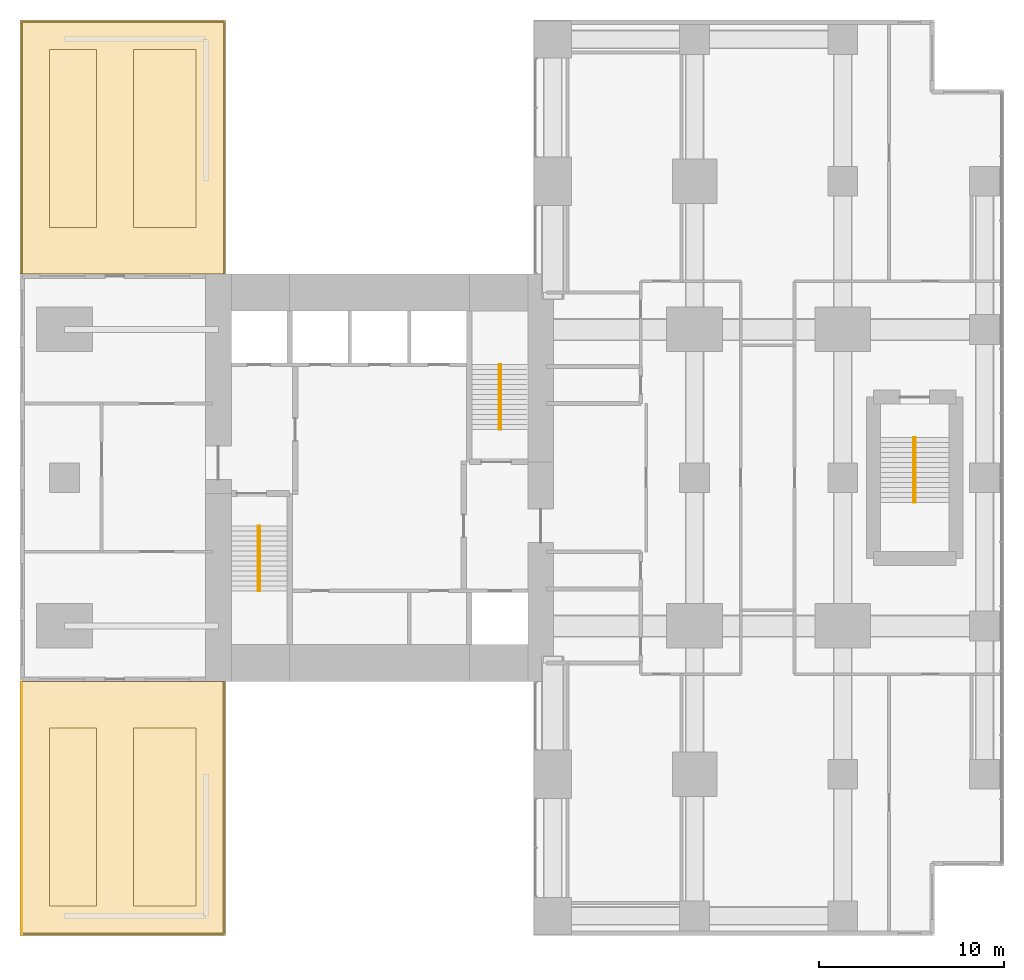
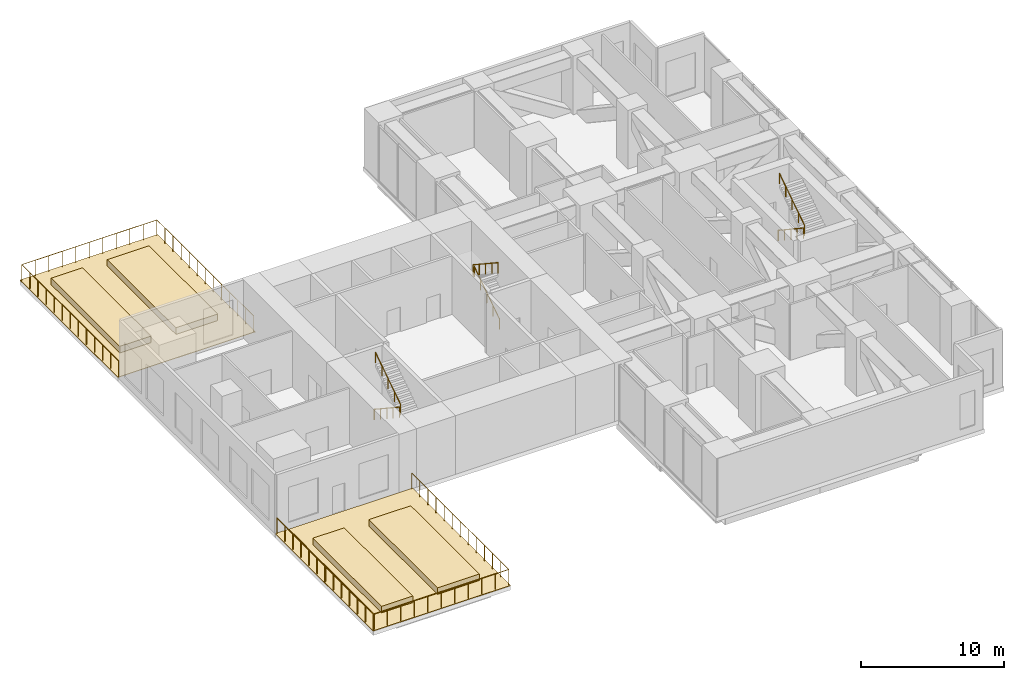
# One storey, part 10 of 10: 9 railings, 8 coverings.
"""IFC4 building model written with IfcOpenShell, lengths in metres."""

from ifc_helpers import new_model, si_unit, direction, frame, origin, origin_2d, place, context, subcontext, project, spatial, polyline, circle, outline, extrude, material, layer, layer_set, type_object, element, save


model = new_model("IFC4")

# Units and contexts
model_context = context("Model", 3, precision=1e-05, world=origin(), true_north=direction((0.0, 1.0)))
body_context = subcontext(model_context, "Body", "Model", "MODEL_VIEW")
ifc_project = project(units=[si_unit("LENGTHUNIT", "METRE"), si_unit("AREAUNIT", "SQUARE_METRE"), si_unit("VOLUMEUNIT", "CUBIC_METRE"), si_unit("PLANEANGLEUNIT", "RADIAN"), si_unit("MASSUNIT", "GRAM", prefix="KILO")], contexts=[model_context])

# Site, building, storey
site_placement = place(None, origin())
site = spatial("IfcSite", under=ifc_project, at=site_placement, CompositionType="ELEMENT")
building_placement = place(site_placement, origin())
building = spatial("IfcBuilding", under=site, at=building_placement, Name="Cleftline Residences", CompositionType="ELEMENT")
storey_placement = place(building_placement, frame((0.0, 0.0, 225.39990234375)))
storey = spatial("IfcBuildingStorey", under=building, at=storey_placement, Name="L59", CompositionType="ELEMENT", Elevation=225.39990234375)

# Railings
ifc_material_1 = material(Name="Stainless steel", Category="steel")
railing_type_1 = type_object("IfcRailingType", Name="HANDRAIL 900", PredefinedType="HANDRAIL", material=ifc_material_1)
railing_1_placement = place(storey_placement, frame((26.449951171875, 21.39990234375, 0.1787109375)))
element("IfcRailing", 1, at=railing_1_placement, inside=storey, type_object=railing_type_1, Name="Stair handrail", PredefinedType="HANDRAIL", context=body_context, shape_type="SweptSolid", body=[
    extrude(circle(Radius=0.02392578125, at=origin_2d()), frame((0.0, 0.0, 0.8759765625), z_axis=(0.0, -0.834097473627, 0.551617081397), x_axis=(1.0, 0.0, 0.0)), (0.0, 0.0, 1.0), 4.208251953125),
    extrude(circle(Radius=0.02099609375, at=origin_2d()), origin(), (0.0, 0.0, 1.0), 0.851806640625),
    extrude(circle(Radius=0.02099609375, at=origin_2d()), frame((0.0, -0.87744140625, 0.580322265625)), (0.0, 0.0, 1.0), 0.851806640625),
    extrude(circle(Radius=0.02099609375, at=origin_2d()), frame((0.0, -1.7548828125, 1.16064453125)), (0.0, 0.0, 1.0), 0.851806640625),
    extrude(circle(Radius=0.02099609375, at=origin_2d()), frame((0.0, -2.632568359375, 1.740966796875)), (0.0, 0.0, 1.0), 0.851806640625),
    extrude(circle(Radius=0.02099609375, at=origin_2d()), frame((0.0, -3.510009765625, 2.3212890625)), (0.0, 0.0, 1.0), 0.851806640625),
])
for number, where, name in (
    (2, (26.550048828125, 17.889892578125, 2.6787109375), "Stair handrail"),
    (3, (39.550048828125, 26.60009765625, 0.1787109375), "Stair handrail"),
):
    element("IfcRailing", number, at=place(storey_placement, frame(where)), inside=storey, type_object=railing_type_1, Name=name, PredefinedType="HANDRAIL", context=body_context, shape_type="SweptSolid", body=[
        extrude(circle(Radius=0.02392578125, at=origin_2d()), frame((0.0, 0.0, 0.8759765625), z_axis=(0.0, 0.834097473627, 0.551617081397), x_axis=(-1.0, 0.0, 0.0)), (0.0, 0.0, 1.0), 4.208251953125),
        extrude(circle(Radius=0.02099609375, at=origin_2d()), origin(), (0.0, 0.0, 1.0), 0.851806640625),
        extrude(circle(Radius=0.02099609375, at=origin_2d()), frame((0.0, 0.87744140625, 0.580322265625)), (0.0, 0.0, 1.0), 0.851806640625),
        extrude(circle(Radius=0.02099609375, at=origin_2d()), frame((0.0, 1.7548828125, 1.16064453125)), (0.0, 0.0, 1.0), 0.851806640625),
        extrude(circle(Radius=0.02099609375, at=origin_2d()), frame((0.0, 2.632568359375, 1.740966796875)), (0.0, 0.0, 1.0), 0.851806640625),
        extrude(circle(Radius=0.02099609375, at=origin_2d()), frame((0.0, 3.510009765625, 2.3212890625)), (0.0, 0.0, 1.0), 0.851806640625),
    ])
for number, where, name in (
    (4, (39.449951171875, 30.110107421875, 2.6787109375), "Stair handrail"),
    (5, (61.824951171875, 26.175048828125, 0.1787109375), "Stair handrail"),
):
    element("IfcRailing", number, at=place(storey_placement, frame(where)), inside=storey, type_object=railing_type_1, Name=name, PredefinedType="HANDRAIL", context=body_context, shape_type="SweptSolid", body=[
        extrude(circle(Radius=0.02392578125, at=origin_2d()), frame((0.0, 0.0, 0.8759765625), z_axis=(0.0, -0.834097473627, 0.551617081397), x_axis=(1.0, 0.0, 0.0)), (0.0, 0.0, 1.0), 4.208251953125),
        extrude(circle(Radius=0.02099609375, at=origin_2d()), origin(), (0.0, 0.0, 1.0), 0.851806640625),
        extrude(circle(Radius=0.02099609375, at=origin_2d()), frame((0.0, -0.87744140625, 0.580322265625)), (0.0, 0.0, 1.0), 0.851806640625),
        extrude(circle(Radius=0.02099609375, at=origin_2d()), frame((0.0, -1.7548828125, 1.16064453125)), (0.0, 0.0, 1.0), 0.851806640625),
        extrude(circle(Radius=0.02099609375, at=origin_2d()), frame((0.0, -2.632568359375, 1.740966796875)), (0.0, 0.0, 1.0), 0.851806640625),
        extrude(circle(Radius=0.02099609375, at=origin_2d()), frame((0.0, -3.510009765625, 2.3212890625)), (0.0, 0.0, 1.0), 0.851806640625),
    ])
railing_2_placement = place(storey_placement, frame((61.925048828125, 22.6650390625, 2.6787109375)))
element("IfcRailing", 6, at=railing_2_placement, inside=storey, type_object=railing_type_1, Name="Stair handrail", PredefinedType="HANDRAIL", context=body_context, shape_type="SweptSolid", body=[
    extrude(circle(Radius=0.02392578125, at=origin_2d()), frame((0.0, 0.0, 0.8759765625), z_axis=(0.0, 0.834097473627, 0.551617081397), x_axis=(-1.0, 0.0, 0.0)), (0.0, 0.0, 1.0), 4.208251953125),
    extrude(circle(Radius=0.02099609375, at=origin_2d()), origin(), (0.0, 0.0, 1.0), 0.851806640625),
    extrude(circle(Radius=0.02099609375, at=origin_2d()), frame((0.0, 0.87744140625, 0.580322265625)), (0.0, 0.0, 1.0), 0.851806640625),
    extrude(circle(Radius=0.02099609375, at=origin_2d()), frame((0.0, 1.7548828125, 1.16064453125)), (0.0, 0.0, 1.0), 0.851806640625),
    extrude(circle(Radius=0.02099609375, at=origin_2d()), frame((0.0, 2.632568359375, 1.740966796875)), (0.0, 0.0, 1.0), 0.851806640625),
    extrude(circle(Radius=0.02099609375, at=origin_2d()), frame((0.0, 3.510009765625, 2.3212890625)), (0.0, 0.0, 1.0), 0.851806640625),
])

# Coverings
ifc_material_2 = material(Name="Growing medium")
ifc_layer_1 = layer(ifc_material_2, 0.60009765625)
ifc_layer_set_1 = layer_set([ifc_layer_1], Name="PLANTED BED 600")
covering_type_1 = type_object("IfcCoveringType", Name="PLANTED BED 600", PredefinedType="ROOFING", material=ifc_layer_set_1)
covering_1_placement = place(storey_placement, frame((0.0, 0.0, 0.005126953125)))
element("IfcCovering", 7, at=covering_1_placement, inside=storey, type_object=covering_type_1, Name="Planted bed L59 1-1", PredefinedType="ROOFING", context=body_context, shape_type="SweptSolid", body=[
    extrude(outline(polyline([(17.72509765625, 0.89990234375), (17.72509765625, 10.5), (15.199951171875, 10.5), (15.199951171875, 0.89990234375), (17.72509765625, 0.89990234375)])), origin(), (0.0, 0.0, 1.0), 0.599853515625),
])
covering_2_placement = place(storey_placement, frame((0.0, 0.0, 0.005126953125)))
element("IfcCovering", 8, at=covering_2_placement, inside=storey, type_object=covering_type_1, Name="Planted bed L59 1-2", PredefinedType="ROOFING", context=body_context, shape_type="SweptSolid", body=[
    extrude(outline(polyline([(23.10009765625, 10.5), (19.72509765625, 10.5), (19.72509765625, 0.89990234375), (23.10009765625, 0.89990234375), (23.10009765625, 10.5)])), origin(), (0.0, 0.0, 1.0), 0.599853515625),
])
covering_3_placement = place(storey_placement, frame((0.0, 0.0, 0.005126953125)))
element("IfcCovering", 9, at=covering_3_placement, inside=storey, type_object=covering_type_1, Name="Planted bed L59 2-1", PredefinedType="ROOFING", context=body_context, shape_type="SweptSolid", body=[
    extrude(outline(polyline([(15.199951171875, 37.5), (17.72509765625, 37.5), (17.72509765625, 47.10009765625), (15.199951171875, 47.10009765625), (15.199951171875, 37.5)])), origin(), (0.0, 0.0, 1.0), 0.599853515625),
])
covering_4_placement = place(storey_placement, frame((0.0, 0.0, 0.005126953125)))
element("IfcCovering", 10, at=covering_4_placement, inside=storey, type_object=covering_type_1, Name="Planted bed L59 2-2", PredefinedType="ROOFING", context=body_context, shape_type="SweptSolid", body=[
    extrude(outline(polyline([(19.72509765625, 47.10009765625), (19.72509765625, 37.5), (23.10009765625, 37.5), (23.10009765625, 47.10009765625), (19.72509765625, 47.10009765625)])), origin(), (0.0, 0.0, 1.0), 0.599853515625),
])

# Railings
ifc_material_3 = material(Name="Stainless steel and laminated glass", Category="steel")
railing_type_2 = type_object("IfcRailingType", Name="TERRACE GUARD 1400", PredefinedType="GUARDRAIL", material=ifc_material_3)
railing_3_placement = place(storey_placement, frame((13.699951171875, -0.60009765625, 0.0)))
element("IfcRailing", 11, at=railing_3_placement, inside=storey, type_object=railing_type_2, Name="Terrace guard", PredefinedType="GUARDRAIL", context=body_context, shape_type="SweptSolid", body=[
    extrude(circle(Radius=0.02392578125, at=origin_2d()), frame((0.0, 0.0, 1.3759765625), z_axis=(0.0, 1.0, 0.0), x_axis=(-1.0, 0.0, 0.0)), (0.0, 0.0, 1.0), 13.550048828125),
    extrude(circle(Radius=0.02099609375, at=origin_2d()), origin(), (0.0, 0.0, 1.0), 1.351806640625),
    extrude(circle(Radius=0.02099609375, at=origin_2d()), frame((0.0, 1.129150390625, 0.0)), (0.0, 0.0, 1.0), 1.351806640625),
    extrude(circle(Radius=0.02099609375, at=origin_2d()), frame((0.0, 2.25830078125, 0.0)), (0.0, 0.0, 1.0), 1.351806640625),
    extrude(circle(Radius=0.02099609375, at=origin_2d()), frame((0.0, 3.387451171875, 0.0)), (0.0, 0.0, 1.0), 1.351806640625),
    extrude(circle(Radius=0.02099609375, at=origin_2d()), frame((0.0, 4.5166015625, 0.0)), (0.0, 0.0, 1.0), 1.351806640625),
    extrude(circle(Radius=0.02099609375, at=origin_2d()), frame((0.0, 5.645751953125, 0.0)), (0.0, 0.0, 1.0), 1.351806640625),
    extrude(circle(Radius=0.02099609375, at=origin_2d()), frame((0.0, 6.77490234375, 0.0)), (0.0, 0.0, 1.0), 1.351806640625),
    extrude(circle(Radius=0.02099609375, at=origin_2d()), frame((0.0, 7.904296875, 0.0)), (0.0, 0.0, 1.0), 1.351806640625),
    extrude(circle(Radius=0.02099609375, at=origin_2d()), frame((0.0, 9.033447265625, 0.0)), (0.0, 0.0, 1.0), 1.351806640625),
    extrude(circle(Radius=0.02099609375, at=origin_2d()), frame((0.0, 10.16259765625, 0.0)), (0.0, 0.0, 1.0), 1.351806640625),
    extrude(circle(Radius=0.02099609375, at=origin_2d()), frame((0.0, 11.291748046875, 0.0)), (0.0, 0.0, 1.0), 1.351806640625),
    extrude(circle(Radius=0.02099609375, at=origin_2d()), frame((0.0, 12.4208984375, 0.0)), (0.0, 0.0, 1.0), 1.351806640625),
    extrude(circle(Radius=0.02099609375, at=origin_2d()), frame((0.0, 13.550048828125, 0.0)), (0.0, 0.0, 1.0), 1.351806640625),
])
railing_4_placement = place(storey_placement, frame((24.60009765625, 12.949951171875, 0.0)))
element("IfcRailing", 12, at=railing_4_placement, inside=storey, type_object=railing_type_2, Name="Terrace guard", PredefinedType="GUARDRAIL", context=body_context, shape_type="SweptSolid", body=[
    extrude(circle(Radius=0.02392578125, at=origin_2d()), frame((0.0, 0.0, 1.3759765625), z_axis=(0.0, -1.0, 0.0), x_axis=(1.0, 0.0, 0.0)), (0.0, 0.0, 1.0), 13.550048828125),
    extrude(circle(Radius=0.02392578125, at=origin_2d()), frame((0.0, -13.550048828125, 1.3759765625), z_axis=(-1.0, 0.0, 0.0), x_axis=(0.0, -1.0, 0.0)), (0.0, 0.0, 1.0), 10.900146484375),
    extrude(circle(Radius=0.02099609375, at=origin_2d()), origin(), (0.0, 0.0, 1.0), 1.351806640625),
    extrude(circle(Radius=0.02099609375, at=origin_2d()), frame((0.0, -1.129150390625, 0.0)), (0.0, 0.0, 1.0), 1.351806640625),
    extrude(circle(Radius=0.02099609375, at=origin_2d()), frame((0.0, -2.25830078125, 0.0)), (0.0, 0.0, 1.0), 1.351806640625),
    extrude(circle(Radius=0.02099609375, at=origin_2d()), frame((0.0, -3.387451171875, 0.0)), (0.0, 0.0, 1.0), 1.351806640625),
    extrude(circle(Radius=0.02099609375, at=origin_2d()), frame((0.0, -4.5166015625, 0.0)), (0.0, 0.0, 1.0), 1.351806640625),
    extrude(circle(Radius=0.02099609375, at=origin_2d()), frame((0.0, -5.645751953125, 0.0)), (0.0, 0.0, 1.0), 1.351806640625),
    extrude(circle(Radius=0.02099609375, at=origin_2d()), frame((0.0, -6.77490234375, 0.0)), (0.0, 0.0, 1.0), 1.351806640625),
    extrude(circle(Radius=0.02099609375, at=origin_2d()), frame((0.0, -7.904296875, 0.0)), (0.0, 0.0, 1.0), 1.351806640625),
    extrude(circle(Radius=0.02099609375, at=origin_2d()), frame((0.0, -9.033447265625, 0.0)), (0.0, 0.0, 1.0), 1.351806640625),
    extrude(circle(Radius=0.02099609375, at=origin_2d()), frame((0.0, -10.16259765625, 0.0)), (0.0, 0.0, 1.0), 1.351806640625),
    extrude(circle(Radius=0.02099609375, at=origin_2d()), frame((0.0, -11.291748046875, 0.0)), (0.0, 0.0, 1.0), 1.351806640625),
    extrude(circle(Radius=0.02099609375, at=origin_2d()), frame((0.0, -12.4208984375, 0.0)), (0.0, 0.0, 1.0), 1.351806640625),
    extrude(circle(Radius=0.02099609375, at=origin_2d()), frame((0.0, -13.550048828125, 0.0)), (0.0, 0.0, 1.0), 1.351806640625),
    extrude(circle(Radius=0.02099609375, at=origin_2d()), frame((-1.090087890625, -13.550048828125, 0.0)), (0.0, 0.0, 1.0), 1.351806640625),
    extrude(circle(Radius=0.02099609375, at=origin_2d()), frame((-2.179931640625, -13.550048828125, 0.0)), (0.0, 0.0, 1.0), 1.351806640625),
    extrude(circle(Radius=0.02099609375, at=origin_2d()), frame((-3.27001953125, -13.550048828125, 0.0)), (0.0, 0.0, 1.0), 1.351806640625),
    extrude(circle(Radius=0.02099609375, at=origin_2d()), frame((-4.360107421875, -13.550048828125, 0.0)), (0.0, 0.0, 1.0), 1.351806640625),
    extrude(circle(Radius=0.02099609375, at=origin_2d()), frame((-5.4501953125, -13.550048828125, 0.0)), (0.0, 0.0, 1.0), 1.351806640625),
    extrude(circle(Radius=0.02099609375, at=origin_2d()), frame((-6.5400390625, -13.550048828125, 0.0)), (0.0, 0.0, 1.0), 1.351806640625),
    extrude(circle(Radius=0.02099609375, at=origin_2d()), frame((-7.630126953125, -13.550048828125, 0.0)), (0.0, 0.0, 1.0), 1.351806640625),
    extrude(circle(Radius=0.02099609375, at=origin_2d()), frame((-8.72021484375, -13.550048828125, 0.0)), (0.0, 0.0, 1.0), 1.351806640625),
    extrude(circle(Radius=0.02099609375, at=origin_2d()), frame((-9.81005859375, -13.550048828125, 0.0)), (0.0, 0.0, 1.0), 1.351806640625),
    extrude(circle(Radius=0.02099609375, at=origin_2d()), frame((-10.900146484375, -13.550048828125, 0.0)), (0.0, 0.0, 1.0), 1.351806640625),
])
railing_5_placement = place(storey_placement, frame((13.699951171875, 35.050048828125, 0.0)))
element("IfcRailing", 13, at=railing_5_placement, inside=storey, type_object=railing_type_2, Name="Terrace guard", PredefinedType="GUARDRAIL", context=body_context, shape_type="SweptSolid", body=[
    extrude(circle(Radius=0.02392578125, at=origin_2d()), frame((0.0, 0.0, 1.3759765625), z_axis=(0.0, 1.0, 0.0), x_axis=(-1.0, 0.0, 0.0)), (0.0, 0.0, 1.0), 13.550048828125),
    extrude(circle(Radius=0.02392578125, at=origin_2d()), frame((0.0, 13.550048828125, 1.3759765625), z_axis=(1.0, 0.0, 0.0), x_axis=(0.0, 1.0, 0.0)), (0.0, 0.0, 1.0), 10.900146484375),
    extrude(circle(Radius=0.02392578125, at=origin_2d()), frame((10.900146484375, 13.550048828125, 1.3759765625), z_axis=(0.0, -1.0, 0.0), x_axis=(1.0, 0.0, 0.0)), (0.0, 0.0, 1.0), 13.550048828125),
    extrude(circle(Radius=0.02099609375, at=origin_2d()), origin(), (0.0, 0.0, 1.0), 1.351806640625),
    extrude(circle(Radius=0.02099609375, at=origin_2d()), frame((0.0, 1.129150390625, 0.0)), (0.0, 0.0, 1.0), 1.351806640625),
    extrude(circle(Radius=0.02099609375, at=origin_2d()), frame((0.0, 2.25830078125, 0.0)), (0.0, 0.0, 1.0), 1.351806640625),
    extrude(circle(Radius=0.02099609375, at=origin_2d()), frame((0.0, 3.387451171875, 0.0)), (0.0, 0.0, 1.0), 1.351806640625),
    extrude(circle(Radius=0.02099609375, at=origin_2d()), frame((0.0, 4.5166015625, 0.0)), (0.0, 0.0, 1.0), 1.351806640625),
    extrude(circle(Radius=0.02099609375, at=origin_2d()), frame((0.0, 5.645751953125, 0.0)), (0.0, 0.0, 1.0), 1.351806640625),
    extrude(circle(Radius=0.02099609375, at=origin_2d()), frame((0.0, 6.77490234375, 0.0)), (0.0, 0.0, 1.0), 1.351806640625),
    extrude(circle(Radius=0.02099609375, at=origin_2d()), frame((0.0, 7.904296875, 0.0)), (0.0, 0.0, 1.0), 1.351806640625),
    extrude(circle(Radius=0.02099609375, at=origin_2d()), frame((0.0, 9.033447265625, 0.0)), (0.0, 0.0, 1.0), 1.351806640625),
    extrude(circle(Radius=0.02099609375, at=origin_2d()), frame((0.0, 10.16259765625, 0.0)), (0.0, 0.0, 1.0), 1.351806640625),
    extrude(circle(Radius=0.02099609375, at=origin_2d()), frame((0.0, 11.291748046875, 0.0)), (0.0, 0.0, 1.0), 1.351806640625),
    extrude(circle(Radius=0.02099609375, at=origin_2d()), frame((0.0, 12.4208984375, 0.0)), (0.0, 0.0, 1.0), 1.351806640625),
    extrude(circle(Radius=0.02099609375, at=origin_2d()), frame((0.0, 13.550048828125, 0.0)), (0.0, 0.0, 1.0), 1.351806640625),
    extrude(circle(Radius=0.02099609375, at=origin_2d()), frame((1.090087890625, 13.550048828125, 0.0)), (0.0, 0.0, 1.0), 1.351806640625),
    extrude(circle(Radius=0.02099609375, at=origin_2d()), frame((2.179931640625, 13.550048828125, 0.0)), (0.0, 0.0, 1.0), 1.351806640625),
    extrude(circle(Radius=0.02099609375, at=origin_2d()), frame((3.27001953125, 13.550048828125, 0.0)), (0.0, 0.0, 1.0), 1.351806640625),
    extrude(circle(Radius=0.02099609375, at=origin_2d()), frame((4.360107421875, 13.550048828125, 0.0)), (0.0, 0.0, 1.0), 1.351806640625),
    extrude(circle(Radius=0.02099609375, at=origin_2d()), frame((5.4501953125, 13.550048828125, 0.0)), (0.0, 0.0, 1.0), 1.351806640625),
    extrude(circle(Radius=0.02099609375, at=origin_2d()), frame((6.5400390625, 13.550048828125, 0.0)), (0.0, 0.0, 1.0), 1.351806640625),
    extrude(circle(Radius=0.02099609375, at=origin_2d()), frame((7.630126953125, 13.550048828125, 0.0)), (0.0, 0.0, 1.0), 1.351806640625),
    extrude(circle(Radius=0.02099609375, at=origin_2d()), frame((8.72021484375, 13.550048828125, 0.0)), (0.0, 0.0, 1.0), 1.351806640625),
    extrude(circle(Radius=0.02099609375, at=origin_2d()), frame((9.81005859375, 13.550048828125, 0.0)), (0.0, 0.0, 1.0), 1.351806640625),
    extrude(circle(Radius=0.02099609375, at=origin_2d()), frame((10.900146484375, 13.550048828125, 0.0)), (0.0, 0.0, 1.0), 1.351806640625),
    extrude(circle(Radius=0.02099609375, at=origin_2d()), frame((10.900146484375, 12.4208984375, 0.0)), (0.0, 0.0, 1.0), 1.351806640625),
    extrude(circle(Radius=0.02099609375, at=origin_2d()), frame((10.900146484375, 11.291748046875, 0.0)), (0.0, 0.0, 1.0), 1.351806640625),
    extrude(circle(Radius=0.02099609375, at=origin_2d()), frame((10.900146484375, 10.16259765625, 0.0)), (0.0, 0.0, 1.0), 1.351806640625),
    extrude(circle(Radius=0.02099609375, at=origin_2d()), frame((10.900146484375, 9.033447265625, 0.0)), (0.0, 0.0, 1.0), 1.351806640625),
    extrude(circle(Radius=0.02099609375, at=origin_2d()), frame((10.900146484375, 7.904296875, 0.0)), (0.0, 0.0, 1.0), 1.351806640625),
    extrude(circle(Radius=0.02099609375, at=origin_2d()), frame((10.900146484375, 6.77490234375, 0.0)), (0.0, 0.0, 1.0), 1.351806640625),
    extrude(circle(Radius=0.02099609375, at=origin_2d()), frame((10.900146484375, 5.645751953125, 0.0)), (0.0, 0.0, 1.0), 1.351806640625),
    extrude(circle(Radius=0.02099609375, at=origin_2d()), frame((10.900146484375, 4.5166015625, 0.0)), (0.0, 0.0, 1.0), 1.351806640625),
    extrude(circle(Radius=0.02099609375, at=origin_2d()), frame((10.900146484375, 3.387451171875, 0.0)), (0.0, 0.0, 1.0), 1.351806640625),
    extrude(circle(Radius=0.02099609375, at=origin_2d()), frame((10.900146484375, 2.25830078125, 0.0)), (0.0, 0.0, 1.0), 1.351806640625),
    extrude(circle(Radius=0.02099609375, at=origin_2d()), frame((10.900146484375, 1.129150390625, 0.0)), (0.0, 0.0, 1.0), 1.351806640625),
    extrude(circle(Radius=0.02099609375, at=origin_2d()), frame((10.900146484375, 0.0, 0.0)), (0.0, 0.0, 1.0), 1.351806640625),
])

# Coverings
ifc_material_4 = material(Name="Porcelain paving on adhesive bed")
ifc_layer_2 = layer(ifc_material_4, 0.0400390625)
ifc_layer_set_2 = layer_set([ifc_layer_2], Name="TERRACE PAVING 40")
covering_type_2 = type_object("IfcCoveringType", Name="TERRACE PAVING 40", PredefinedType="FLOORING", material=ifc_layer_set_2)
covering_5_placement = place(storey_placement, frame((0.0, 0.0, 0.005126953125)))
element("IfcCovering", 14, at=covering_5_placement, inside=storey, type_object=covering_type_2, Name="Terrace paving L59 1", PredefinedType="FLOORING", context=body_context, shape_type="SweptSolid", body=[
    extrude(outline(polyline([(13.610107421875, -0.699951171875), (24.68994140625, -0.699951171875), (24.69091796875, -0.699951171875), (24.69189453125, -0.69970703125), (24.69287109375, -0.69970703125), (24.69384765625, -0.69921875), (24.694580078125, -0.69873046875), (24.695556640625, -0.6982421875), (24.6962890625, -0.69775390625), (24.697021484375, -0.697021484375), (24.69775390625, -0.6962890625), (24.6982421875, -0.695556640625), (24.69873046875, -0.694580078125), (24.69921875, -0.69384765625), (24.69970703125, -0.69287109375), (24.69970703125, -0.69189453125), (24.699951171875, -0.69091796875), (24.699951171875, -0.68994140625), (24.699951171875, 12.989990234375), (24.699951171875, 12.990966796875), (24.69970703125, 12.991943359375), (24.69970703125, 12.992919921875), (24.69921875, 12.993896484375), (24.69873046875, 12.99462890625), (24.698486328125, 12.9951171875), (23.60498046875, 12.9951171875), (23.594970703125, 12.9951171875), (13.719970703125, 12.9951171875), (13.719970703125, 13.0), (13.610107421875, 13.0), (13.60888671875, 13.0), (13.60791015625, 12.999755859375), (13.607177734375, 12.99951171875), (13.606201171875, 12.999267578125), (13.605224609375, 12.998779296875), (13.6044921875, 12.998291015625), (13.603759765625, 12.997802734375), (13.602783203125, 12.9970703125), (13.602294921875, 12.996337890625), (13.601806640625, 12.99560546875), (13.601318359375, 12.99462890625), (13.600830078125, 12.993896484375), (13.600341796875, 12.992919921875), (13.60009765625, 12.991943359375), (13.60009765625, 12.990966796875), (13.60009765625, 12.989990234375), (13.60009765625, -0.68994140625), (13.60009765625, -0.69091796875), (13.60009765625, -0.69189453125), (13.600341796875, -0.69287109375), (13.600830078125, -0.69384765625), (13.601318359375, -0.694580078125), (13.601806640625, -0.695556640625), (13.602294921875, -0.6962890625), (13.602783203125, -0.697021484375), (13.603759765625, -0.69775390625), (13.6044921875, -0.6982421875), (13.605224609375, -0.69873046875), (13.606201171875, -0.69921875), (13.607177734375, -0.69970703125), (13.60791015625, -0.69970703125), (13.60888671875, -0.699951171875), (13.610107421875, -0.699951171875)]), holes=[polyline([(15.199951171875, 0.89990234375), (17.72509765625, 0.89990234375), (17.72509765625, 10.5), (15.199951171875, 10.5), (15.199951171875, 0.89990234375)]), polyline([(23.10009765625, 0.89990234375), (23.10009765625, 10.5), (19.72509765625, 10.5), (19.72509765625, 0.89990234375), (23.10009765625, 0.89990234375)])]), origin(), (0.0, 0.0, 1.0), 0.0400390625),
])
covering_6_placement = place(storey_placement, frame((0.0, 0.0, 0.005126953125)))
element("IfcCovering", 15, at=covering_6_placement, inside=storey, type_object=covering_type_2, Name="Terrace paving L59 2", PredefinedType="FLOORING", context=body_context, shape_type="SweptSolid", body=[
    extrude(outline(polyline([(13.60009765625, 48.68994140625), (13.60009765625, 35.010009765625), (13.60009765625, 35.009033203125), (13.60009765625, 35.008056640625), (13.600341796875, 35.007080078125), (13.600830078125, 35.006103515625), (13.601318359375, 35.00537109375), (13.601806640625, 35.00439453125), (13.602294921875, 35.003662109375), (13.602783203125, 35.0029296875), (13.603759765625, 35.002197265625), (13.6044921875, 35.001708984375), (13.605224609375, 35.001220703125), (13.606201171875, 35.000732421875), (13.607177734375, 35.00048828125), (13.60791015625, 35.000244140625), (13.60888671875, 35.0), (13.610107421875, 35.0), (13.719970703125, 35.0), (13.719970703125, 35.0048828125), (23.594970703125, 35.0048828125), (23.60498046875, 35.0048828125), (24.698486328125, 35.0048828125), (24.69873046875, 35.00537109375), (24.69921875, 35.006103515625), (24.69970703125, 35.007080078125), (24.69970703125, 35.008056640625), (24.699951171875, 35.009033203125), (24.699951171875, 35.010009765625), (24.699951171875, 48.68994140625), (24.699951171875, 48.69091796875), (24.69970703125, 48.69189453125), (24.69970703125, 48.69287109375), (24.69921875, 48.69384765625), (24.69873046875, 48.694580078125), (24.6982421875, 48.695556640625), (24.69775390625, 48.6962890625), (24.697021484375, 48.697021484375), (24.6962890625, 48.69775390625), (24.695556640625, 48.6982421875), (24.694580078125, 48.69873046875), (24.69384765625, 48.69921875), (24.69287109375, 48.69970703125), (24.69189453125, 48.69970703125), (24.69091796875, 48.699951171875), (24.68994140625, 48.699951171875), (13.610107421875, 48.699951171875), (13.60888671875, 48.699951171875), (13.60791015625, 48.69970703125), (13.607177734375, 48.69970703125), (13.606201171875, 48.69921875), (13.605224609375, 48.69873046875), (13.6044921875, 48.6982421875), (13.603759765625, 48.69775390625), (13.602783203125, 48.697021484375), (13.602294921875, 48.6962890625), (13.601806640625, 48.695556640625), (13.601318359375, 48.694580078125), (13.600830078125, 48.69384765625), (13.600341796875, 48.69287109375), (13.60009765625, 48.69189453125), (13.60009765625, 48.69091796875), (13.60009765625, 48.68994140625)]), holes=[polyline([(15.199951171875, 47.10009765625), (15.199951171875, 37.5), (17.72509765625, 37.5), (17.72509765625, 47.10009765625), (15.199951171875, 47.10009765625)]), polyline([(23.10009765625, 47.10009765625), (19.72509765625, 47.10009765625), (19.72509765625, 37.5), (23.10009765625, 37.5), (23.10009765625, 47.10009765625)])]), origin(), (0.0, 0.0, 1.0), 0.0400390625),
])
ifc_material_5 = material(Name="Liquid-applied polyurethane waterproofing")
ifc_layer_3 = layer(ifc_material_5, 0.0048828125)
ifc_layer_set_3 = layer_set([ifc_layer_3], Name="TERRACE WATERPROOFING 5")
covering_type_3 = type_object("IfcCoveringType", Name="TERRACE WATERPROOFING 5", PredefinedType="ROOFING", material=ifc_layer_set_3)
covering_7_placement = place(storey_placement, origin())
element("IfcCovering", 16, at=covering_7_placement, inside=storey, type_object=covering_type_3, Name="Terrace waterproofing L59 1", PredefinedType="ROOFING", context=body_context, shape_type="SweptSolid", body=[
    extrude(outline(polyline([(24.68994140625, -0.699951171875), (24.69091796875, -0.699951171875), (24.69189453125, -0.69970703125), (24.69287109375, -0.69970703125), (24.69384765625, -0.69921875), (24.694580078125, -0.69873046875), (24.695556640625, -0.6982421875), (24.6962890625, -0.69775390625), (24.697021484375, -0.697021484375), (24.69775390625, -0.6962890625), (24.6982421875, -0.695556640625), (24.69873046875, -0.694580078125), (24.69921875, -0.69384765625), (24.69970703125, -0.69287109375), (24.69970703125, -0.69189453125), (24.699951171875, -0.69091796875), (24.699951171875, -0.68994140625), (24.699951171875, 12.989990234375), (24.699951171875, 12.990966796875), (24.69970703125, 12.991943359375), (24.69970703125, 12.992919921875), (24.69921875, 12.993896484375), (24.69873046875, 12.99462890625), (24.698486328125, 12.9951171875), (23.60498046875, 12.9951171875), (23.594970703125, 12.9951171875), (13.719970703125, 12.9951171875), (13.719970703125, 13.0), (13.610107421875, 13.0), (13.60888671875, 13.0), (13.60791015625, 12.999755859375), (13.607177734375, 12.99951171875), (13.606201171875, 12.999267578125), (13.605224609375, 12.998779296875), (13.6044921875, 12.998291015625), (13.603759765625, 12.997802734375), (13.602783203125, 12.9970703125), (13.602294921875, 12.996337890625), (13.601806640625, 12.99560546875), (13.601318359375, 12.99462890625), (13.600830078125, 12.993896484375), (13.600341796875, 12.992919921875), (13.60009765625, 12.991943359375), (13.60009765625, 12.990966796875), (13.60009765625, 12.989990234375), (13.60009765625, -0.68994140625), (13.60009765625, -0.69091796875), (13.60009765625, -0.69189453125), (13.600341796875, -0.69287109375), (13.600830078125, -0.69384765625), (13.601318359375, -0.694580078125), (13.601806640625, -0.695556640625), (13.602294921875, -0.6962890625), (13.602783203125, -0.697021484375), (13.603759765625, -0.69775390625), (13.6044921875, -0.6982421875), (13.605224609375, -0.69873046875), (13.606201171875, -0.69921875), (13.607177734375, -0.69970703125), (13.60791015625, -0.69970703125), (13.60888671875, -0.699951171875), (13.610107421875, -0.699951171875), (24.68994140625, -0.699951171875)])), origin(), (0.0, 0.0, 1.0), 0.005126953125),
])
covering_8_placement = place(storey_placement, origin())
element("IfcCovering", 17, at=covering_8_placement, inside=storey, type_object=covering_type_3, Name="Terrace waterproofing L59 2", PredefinedType="ROOFING", context=body_context, shape_type="SweptSolid", body=[
    extrude(outline(polyline([(13.60009765625, 35.010009765625), (13.60009765625, 35.009033203125), (13.60009765625, 35.008056640625), (13.600341796875, 35.007080078125), (13.600830078125, 35.006103515625), (13.601318359375, 35.00537109375), (13.601806640625, 35.00439453125), (13.602294921875, 35.003662109375), (13.602783203125, 35.0029296875), (13.603759765625, 35.002197265625), (13.6044921875, 35.001708984375), (13.605224609375, 35.001220703125), (13.606201171875, 35.000732421875), (13.607177734375, 35.00048828125), (13.60791015625, 35.000244140625), (13.60888671875, 35.0), (13.610107421875, 35.0), (13.719970703125, 35.0), (13.719970703125, 35.0048828125), (23.594970703125, 35.0048828125), (23.60498046875, 35.0048828125), (24.698486328125, 35.0048828125), (24.69873046875, 35.00537109375), (24.69921875, 35.006103515625), (24.69970703125, 35.007080078125), (24.69970703125, 35.008056640625), (24.699951171875, 35.009033203125), (24.699951171875, 35.010009765625), (24.699951171875, 48.68994140625), (24.699951171875, 48.69091796875), (24.69970703125, 48.69189453125), (24.69970703125, 48.69287109375), (24.69921875, 48.69384765625), (24.69873046875, 48.694580078125), (24.6982421875, 48.695556640625), (24.69775390625, 48.6962890625), (24.697021484375, 48.697021484375), (24.6962890625, 48.69775390625), (24.695556640625, 48.6982421875), (24.694580078125, 48.69873046875), (24.69384765625, 48.69921875), (24.69287109375, 48.69970703125), (24.69189453125, 48.69970703125), (24.69091796875, 48.699951171875), (24.68994140625, 48.699951171875), (13.610107421875, 48.699951171875), (13.60888671875, 48.699951171875), (13.60791015625, 48.69970703125), (13.607177734375, 48.69970703125), (13.606201171875, 48.69921875), (13.605224609375, 48.69873046875), (13.6044921875, 48.6982421875), (13.603759765625, 48.69775390625), (13.602783203125, 48.697021484375), (13.602294921875, 48.6962890625), (13.601806640625, 48.695556640625), (13.601318359375, 48.694580078125), (13.600830078125, 48.69384765625), (13.600341796875, 48.69287109375), (13.60009765625, 48.69189453125), (13.60009765625, 48.69091796875), (13.60009765625, 48.68994140625), (13.60009765625, 35.010009765625)])), origin(), (0.0, 0.0, 1.0), 0.005126953125),
])

save(model, "model.ifc")
